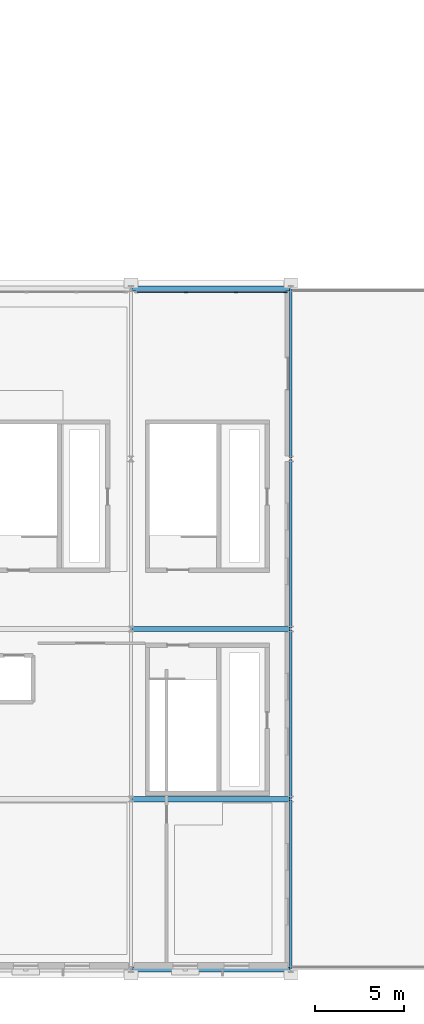
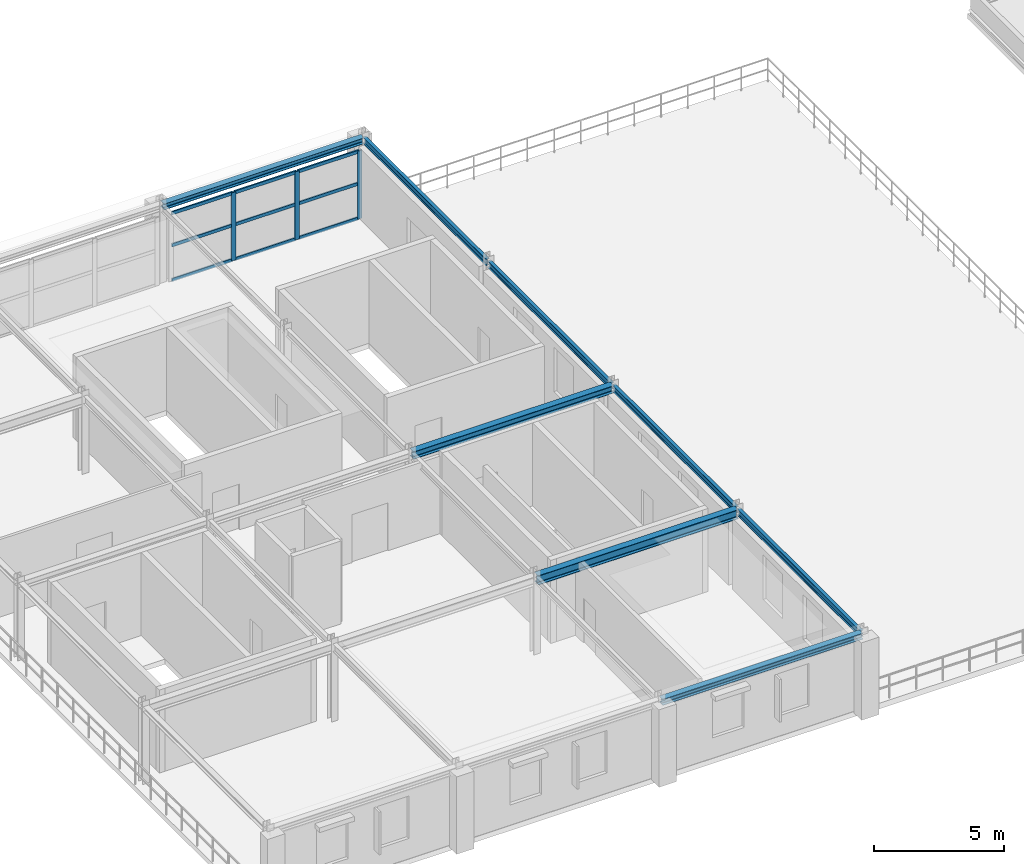
# One storey, part 19 of 52: 12 members, 8 beams, 1 element without a shape of its own.
"""IFC4 building model written with IfcOpenShell, lengths in metres."""

from ifc_helpers import new_model, si_unit, direction, frame, origin, origin_2d, place, context, subcontext, project, spatial, rectangle, i_section, extrude, material, layer, layer_set, material_profile, profile_set, type_object, element, aggregate, save


model = new_model("IFC4")

# Units and contexts
model_context = context("Model", 3, precision=1e-05, world=origin(), true_north=direction((0.0, 1.0)))
body_context = subcontext(model_context, "Body", "Model", "MODEL_VIEW")
ifc_project = project(units=[si_unit("LENGTHUNIT", "METRE"), si_unit("AREAUNIT", "SQUARE_METRE"), si_unit("VOLUMEUNIT", "CUBIC_METRE"), si_unit("PLANEANGLEUNIT", "RADIAN"), si_unit("MASSUNIT", "GRAM", prefix="KILO")], contexts=[model_context])

# Site, building, storey
site_placement = place(None, origin())
site = spatial("IfcSite", under=ifc_project, at=site_placement, CompositionType="ELEMENT")
building_placement = place(site_placement, origin())
building = spatial("IfcBuilding", under=site, at=building_placement, Name="Myrtia Square Station", CompositionType="ELEMENT")
storey_placement = place(building_placement, frame((0.0, 0.0, 15.0)))
storey = spatial("IfcBuildingStorey", under=building, at=storey_placement, Name="L03", CompositionType="ELEMENT", Elevation=15.0)

# Beams
ifc_material_1 = material(Name="Steel S355", Category="steel")
ifc_material_profile_1 = material_profile(ifc_material_1, i_section(OverallWidth=0.300048828125, OverallDepth=0.35009765625, WebThickness=0.010009765625, FlangeThickness=0.017578125, FilletRadius=0.027099609375, at=origin_2d()), Name="HEA 360")
ifc_profile_set_1 = profile_set([ifc_material_profile_1], Name="Steel S355")
beam_type_1 = type_object("IfcBeamType", Name="BM-HEA360", PredefinedType="BEAM", material=ifc_profile_set_1)
beam_1_placement = place(storey_placement, frame((135.050048828125, 19.199951171875, 3.47998046875), z_axis=(1.0, 0.0, 0.0), x_axis=(0.0, 1.0, 0.0)))
element("IfcBeam", 1, at=beam_1_placement, inside=storey, type_object=beam_type_1, Name="Structural girder BMX-L03-0812", PredefinedType="BEAM", context=body_context, shape_type="SweptSolid", body=[
    extrude(i_section(OverallWidth=0.300048828125, OverallDepth=0.35009765625, WebThickness=0.010009765625, FlangeThickness=0.017578125, FilletRadius=0.027099609375, at=origin_2d()), origin(), (0.0, 0.0, 1.0), 8.89990234375),
])
ifc_material_profile_2 = material_profile(ifc_material_1, i_section(OverallWidth=0.300048828125, OverallDepth=0.43994140625, WebThickness=0.011474609375, FlangeThickness=0.02099609375, FilletRadius=0.027099609375, at=origin_2d()), Name="HEA 450")
ifc_profile_set_2 = profile_set([ifc_material_profile_2], Name="Steel S355")
beam_type_2 = type_object("IfcBeamType", Name="BM-HEA450", PredefinedType="BEAM", material=ifc_profile_set_2)
beam_2_placement = place(storey_placement, frame((135.050048828125, 9.60009765625, 3.43505859375), z_axis=(1.0, 0.0, 0.0), x_axis=(0.0, 1.0, 0.0)))
element("IfcBeam", 2, at=beam_2_placement, inside=storey, type_object=beam_type_2, Name="Structural girder BMX-L03-0809", PredefinedType="BEAM", context=body_context, shape_type="SweptSolid", body=[
    extrude(i_section(OverallWidth=0.300048828125, OverallDepth=0.43994140625, WebThickness=0.011474609375, FlangeThickness=0.02099609375, FilletRadius=0.027099609375, at=origin_2d()), origin(), (0.0, 0.0, 1.0), 8.89990234375),
])
ifc_material_profile_3 = material_profile(ifc_material_1, i_section(OverallWidth=0.14990234375, OverallDepth=0.300048828125, WebThickness=0.007080078125, FlangeThickness=0.0107421875, FilletRadius=0.014892578125, at=origin_2d()), Name="IPE 300")
ifc_profile_set_3 = profile_set([ifc_material_profile_3], Name="Steel S355")
beam_type_3 = type_object("IfcBeamType", Name="BM-IPE300", PredefinedType="BEAM", material=ifc_profile_set_3)
for number, where, z_axis, x_axis, name in (
    (3, (144.0, 0.050048828125, 3.5048828125), (0.0, 1.0, 0.0), (-1.0, 0.0, 0.0), "Structural girder BMY-L03-0822"),
    (4, (144.0, 9.64990234375, 3.5048828125), (0.0, 1.0, 0.0), (-1.0, 0.0, 0.0), "Structural girder BMY-L03-0823"),
    (5, (144.0, 19.25, 3.5048828125), (0.0, 1.0, 0.0), (-1.0, 0.0, 0.0), "Structural girder BMY-L03-0824"),
    (6, (144.0, 28.85009765625, 3.5048828125), (0.0, 1.0, 0.0), (-1.0, 0.0, 0.0), "Structural girder BMY-L03-0825"),
):
    element("IfcBeam", number, at=place(storey_placement, frame(where, z_axis=z_axis, x_axis=x_axis)), inside=storey, type_object=beam_type_3, Name=name, PredefinedType="BEAM", context=body_context, shape_type="SweptSolid", body=[
        extrude(i_section(OverallWidth=0.14990234375, OverallDepth=0.300048828125, WebThickness=0.007080078125, FlangeThickness=0.0107421875, FilletRadius=0.014892578125, at=origin_2d()), origin(), (0.0, 0.0, 1.0), 9.5),
    ])

# Curtain wall, members
ifc_material_2 = material(Name="Dark bronze anodised aluminium", Category="aluminium")
ifc_layer = layer(ifc_material_2, 0.159912109375, Name="Dark bronze anodised aluminium")
ifc_layer_set = layer_set([ifc_layer], Name="Dark bronze anodised aluminium")
curtain_wall_type = type_object("IfcCurtainWallType", Name="CW-TYPE-48-846x320", PredefinedType="USERDEFINED", material=ifc_layer_set)
curtain_wall_placement = place(storey_placement, origin())
curtain_wall = element("IfcCurtainWall", 7, at=curtain_wall_placement, inside=storey, type_object=curtain_wall_type, Name="Concourse curtain wall CW-L03-157", ObjectType="CONCOURSE CURTAIN WALL", PredefinedType="USERDEFINED")
ifc_material_profile_4 = material_profile(ifc_material_2, rectangle(XDim=0.06494140625, YDim=0.199951171875, at=origin_2d()), Name="ALU-M 65x200")
ifc_profile_set_4 = profile_set([ifc_material_profile_4], Name="Dark bronze anodised aluminium")
member_type_1 = type_object("IfcMemberType", Name="CWM-65x200", PredefinedType="MULLION", material=ifc_profile_set_4)
member_1_placement = place(storey_placement, frame((138.090087890625, 38.199951171875, 0.0), z_axis=(0.0, 0.0, 1.0), x_axis=(0.0, 1.0, 0.0)))
member_1 = element("IfcMember", 8, at=member_1_placement, type_object=member_type_1, Name="CW-157 mullion 2", PredefinedType="MULLION", context=body_context, shape_type="SweptSolid", body=[
    extrude(rectangle(XDim=0.06494140625, YDim=0.199951171875, at=origin_2d()), origin(), (0.0, 0.0, 1.0), 3.199951171875),
])
member_2_placement = place(storey_placement, frame((140.909912109375, 38.199951171875, 0.0), z_axis=(0.0, 0.0, 1.0), x_axis=(0.0, 1.0, 0.0)))
member_2 = element("IfcMember", 9, at=member_2_placement, type_object=member_type_1, Name="CW-157 mullion 3", PredefinedType="MULLION", context=body_context, shape_type="SweptSolid", body=[
    extrude(rectangle(XDim=0.06494140625, YDim=0.199951171875, at=origin_2d()), origin(), (0.0, 0.0, 1.0), 3.199951171875),
])
member_3_placement = place(storey_placement, frame((143.697509765625, 38.199951171875, 0.0), z_axis=(0.0, 0.0, 1.0), x_axis=(0.0, 1.0, 0.0)))
member_3 = element("IfcMember", 10, at=member_3_placement, type_object=member_type_1, Name="CW-157 mullion 4", PredefinedType="MULLION", context=body_context, shape_type="SweptSolid", body=[
    extrude(rectangle(XDim=0.06494140625, YDim=0.199951171875, at=origin_2d()), origin(), (0.0, 0.0, 1.0), 3.199951171875),
])
ifc_material_profile_5 = material_profile(ifc_material_2, rectangle(XDim=0.06494140625, YDim=0.14990234375, at=origin_2d()), Name="ALU-T 65x150")
ifc_profile_set_5 = profile_set([ifc_material_profile_5], Name="Dark bronze anodised aluminium")
member_type_2 = type_object("IfcMemberType", Name="CWT-65x150", PredefinedType="USERDEFINED", material=ifc_profile_set_5)
member_4_placement = place(storey_placement, frame((135.3349609375, 38.199951171875, 0.032470703125), z_axis=(1.0, 0.0, 0.0), x_axis=(0.0, 1.0, 0.0)))
member_4 = element("IfcMember", 11, at=member_4_placement, type_object=member_type_2, Name="CW-157 transom 1.1", ObjectType="TRANSOM", PredefinedType="USERDEFINED", context=body_context, shape_type="SweptSolid", body=[
    extrude(rectangle(XDim=0.06494140625, YDim=0.14990234375, at=origin_2d()), origin(), (0.0, 0.0, 1.0), 2.72265625),
])
member_5_placement = place(storey_placement, frame((135.3349609375, 38.199951171875, 1.6640625), z_axis=(1.0, 0.0, 0.0), x_axis=(0.0, 1.0, 0.0)))
member_5 = element("IfcMember", 12, at=member_5_placement, type_object=member_type_2, Name="CW-157 transom 1.2", ObjectType="TRANSOM", PredefinedType="USERDEFINED", context=body_context, shape_type="SweptSolid", body=[
    extrude(rectangle(XDim=0.06494140625, YDim=0.14990234375, at=origin_2d()), origin(), (0.0, 0.0, 1.0), 2.72265625),
])
member_6_placement = place(storey_placement, frame((135.3349609375, 38.199951171875, 3.16748046875), z_axis=(1.0, 0.0, 0.0), x_axis=(0.0, 1.0, 0.0)))
member_6 = element("IfcMember", 13, at=member_6_placement, type_object=member_type_2, Name="CW-157 transom 1.3", ObjectType="TRANSOM", PredefinedType="USERDEFINED", context=body_context, shape_type="SweptSolid", body=[
    extrude(rectangle(XDim=0.06494140625, YDim=0.14990234375, at=origin_2d()), origin(), (0.0, 0.0, 1.0), 2.72265625),
])
member_7_placement = place(storey_placement, frame((138.12255859375, 38.199951171875, 0.032470703125), z_axis=(1.0, 0.0, 0.0), x_axis=(0.0, 1.0, 0.0)))
member_7 = element("IfcMember", 14, at=member_7_placement, type_object=member_type_2, Name="CW-157 transom 2.1", ObjectType="TRANSOM", PredefinedType="USERDEFINED", context=body_context, shape_type="SweptSolid", body=[
    extrude(rectangle(XDim=0.06494140625, YDim=0.14990234375, at=origin_2d()), origin(), (0.0, 0.0, 1.0), 2.7548828125),
])
member_8_placement = place(storey_placement, frame((138.12255859375, 38.199951171875, 1.6640625), z_axis=(1.0, 0.0, 0.0), x_axis=(0.0, 1.0, 0.0)))
member_8 = element("IfcMember", 15, at=member_8_placement, type_object=member_type_2, Name="CW-157 transom 2.2", ObjectType="TRANSOM", PredefinedType="USERDEFINED", context=body_context, shape_type="SweptSolid", body=[
    extrude(rectangle(XDim=0.06494140625, YDim=0.14990234375, at=origin_2d()), origin(), (0.0, 0.0, 1.0), 2.7548828125),
])
member_9_placement = place(storey_placement, frame((138.12255859375, 38.199951171875, 3.16748046875), z_axis=(1.0, 0.0, 0.0), x_axis=(0.0, 1.0, 0.0)))
member_9 = element("IfcMember", 16, at=member_9_placement, type_object=member_type_2, Name="CW-157 transom 2.3", ObjectType="TRANSOM", PredefinedType="USERDEFINED", context=body_context, shape_type="SweptSolid", body=[
    extrude(rectangle(XDim=0.06494140625, YDim=0.14990234375, at=origin_2d()), origin(), (0.0, 0.0, 1.0), 2.7548828125),
])
member_10_placement = place(storey_placement, frame((140.9423828125, 38.199951171875, 0.032470703125), z_axis=(1.0, 0.0, 0.0), x_axis=(0.0, 1.0, 0.0)))
member_10 = element("IfcMember", 17, at=member_10_placement, type_object=member_type_2, Name="CW-157 transom 3.1", ObjectType="TRANSOM", PredefinedType="USERDEFINED", context=body_context, shape_type="SweptSolid", body=[
    extrude(rectangle(XDim=0.06494140625, YDim=0.14990234375, at=origin_2d()), origin(), (0.0, 0.0, 1.0), 2.72265625),
])
member_11_placement = place(storey_placement, frame((140.9423828125, 38.199951171875, 1.6640625), z_axis=(1.0, 0.0, 0.0), x_axis=(0.0, 1.0, 0.0)))
member_11 = element("IfcMember", 18, at=member_11_placement, type_object=member_type_2, Name="CW-157 transom 3.2", ObjectType="TRANSOM", PredefinedType="USERDEFINED", context=body_context, shape_type="SweptSolid", body=[
    extrude(rectangle(XDim=0.06494140625, YDim=0.14990234375, at=origin_2d()), origin(), (0.0, 0.0, 1.0), 2.72265625),
])
member_12_placement = place(storey_placement, frame((140.9423828125, 38.199951171875, 3.16748046875), z_axis=(1.0, 0.0, 0.0), x_axis=(0.0, 1.0, 0.0)))
member_12 = element("IfcMember", 19, at=member_12_placement, type_object=member_type_2, Name="CW-157 transom 3.3", ObjectType="TRANSOM", PredefinedType="USERDEFINED", context=body_context, shape_type="SweptSolid", body=[
    extrude(rectangle(XDim=0.06494140625, YDim=0.14990234375, at=origin_2d()), origin(), (0.0, 0.0, 1.0), 2.72265625),
])
aggregate(curtain_wall, [member_1, member_2, member_3, member_4, member_5, member_6, member_7, member_8, member_9, member_10, member_11, member_12])

# Beams
ifc_material_profile_6 = material_profile(ifc_material_1, i_section(OverallWidth=0.280029296875, OverallDepth=0.280029296875, WebThickness=0.010498046875, FlangeThickness=0.01806640625, FilletRadius=0.02392578125, at=origin_2d()), Name="HEB 280")
ifc_profile_set_6 = profile_set([ifc_material_profile_6], Name="Steel S355")
beam_type_4 = type_object("IfcBeamType", Name="SPN-HEB280", PredefinedType="SPANDREL", material=ifc_profile_set_6)
for number, where, z_axis, x_axis, name in (
    (20, (135.050048828125, 0.0, 3.514892578125), (1.0, 0.0, 0.0), (0.0, 1.0, 0.0), "Structural girder SPN-L03-0227"),
    (21, (135.050048828125, 38.39990234375, 3.514892578125), (1.0, 0.0, 0.0), (0.0, 1.0, 0.0), "Structural girder SPN-L03-0230"),
):
    element("IfcBeam", number, at=place(storey_placement, frame(where, z_axis=z_axis, x_axis=x_axis)), inside=storey, type_object=beam_type_4, Name=name, PredefinedType="SPANDREL", context=body_context, shape_type="SweptSolid", body=[
        extrude(i_section(OverallWidth=0.280029296875, OverallDepth=0.280029296875, WebThickness=0.010498046875, FlangeThickness=0.01806640625, FilletRadius=0.02392578125, at=origin_2d()), origin(), (0.0, 0.0, 1.0), 8.89990234375),
    ])

save(model, "model.ifc")
